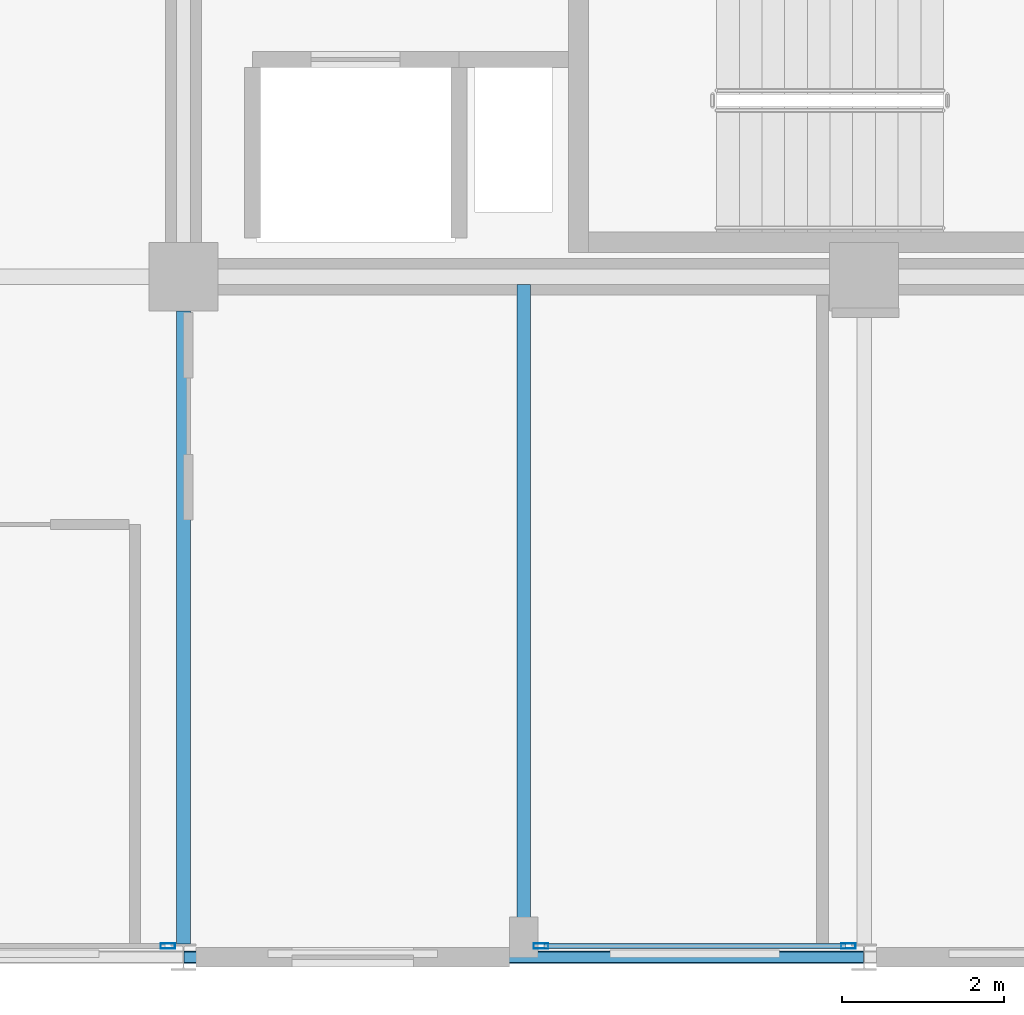
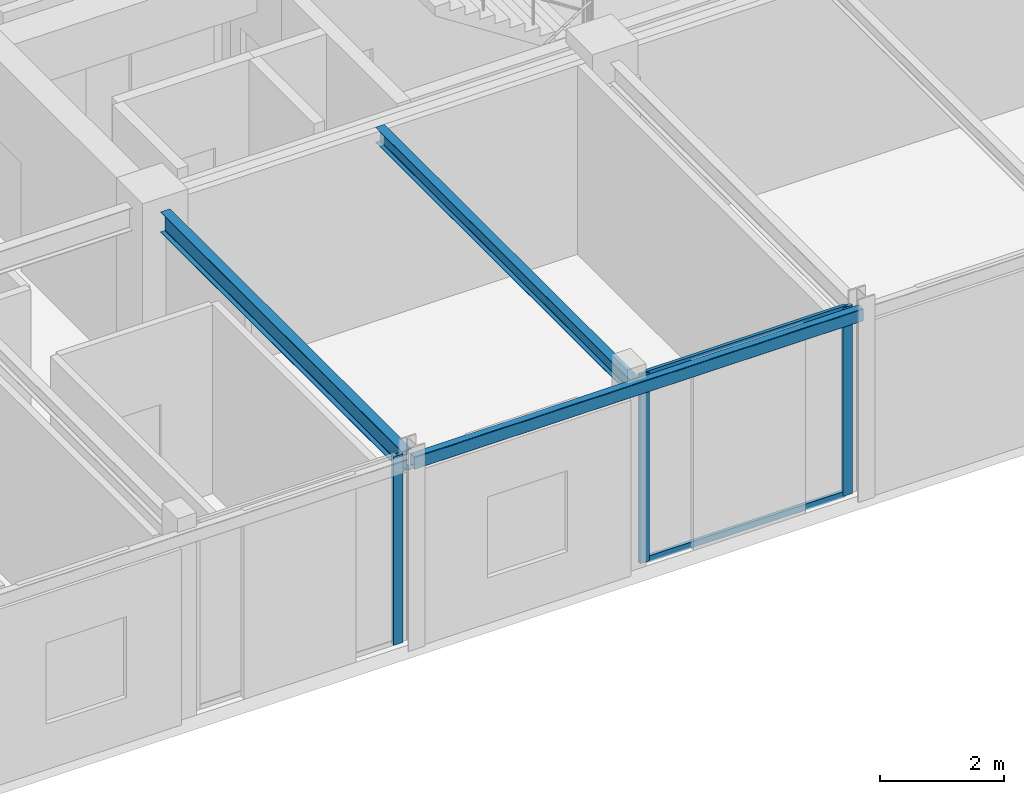
# One storey, part 7 of 26: 5 members, 3 beams, 2 elements without a shape of their own.
"""IFC4 building model written with IfcOpenShell, lengths in metres."""

from ifc_helpers import new_model, si_unit, direction, frame, origin, origin_2d, place, context, subcontext, project, spatial, hollow_rectangle, i_section, extrude, material, layer, layer_set, material_profile, profile_set, type_object, element, aggregate, save


model = new_model("IFC4")

# Units and contexts
model_context = context("Model", 3, precision=1e-05, world=origin(), true_north=direction((0.0, 1.0)))
body_context = subcontext(model_context, "Body", "Model", "MODEL_VIEW")
ifc_project = project(units=[si_unit("LENGTHUNIT", "METRE"), si_unit("AREAUNIT", "SQUARE_METRE"), si_unit("VOLUMEUNIT", "CUBIC_METRE"), si_unit("PLANEANGLEUNIT", "RADIAN"), si_unit("MASSUNIT", "GRAM", prefix="KILO")], contexts=[model_context])

# Site, building, storey
site_placement = place(None, origin())
site = spatial("IfcSite", under=ifc_project, at=site_placement, CompositionType="ELEMENT")
building_placement = place(site_placement, origin())
building = spatial("IfcBuilding", under=site, at=building_placement, Name="Nerrivon Quay Data Exchange", CompositionType="ELEMENT")
storey_placement = place(building_placement, frame((0.0, 0.0, 250.199951171875)))
storey = spatial("IfcBuildingStorey", under=building, at=storey_placement, Name="L59", CompositionType="ELEMENT", Elevation=250.199951171875)

# Beams
ifc_material_1 = material(Name="Steel Grade 350", Category="steel")
ifc_material_profile_1 = material_profile(ifc_material_1, i_section(OverallWidth=0.177978515625, OverallDepth=0.406005859375, WebThickness=0.0078125, FlangeThickness=0.0126953125, FilletRadius=0.011474609375, at=origin_2d()), Name="410UB59.7")
ifc_profile_set_1 = profile_set([ifc_material_profile_1], Name="Steel Grade 350")
beam_type_1 = type_object("IfcBeamType", Name="BM-J1-410UB60", PredefinedType="JOIST", material=ifc_profile_set_1)
beam_1_placement = place(storey_placement, frame((16.800048828125, 0.16357421875, 3.52197265625), z_axis=(0.0, 1.0, 0.0), x_axis=(-1.0, 0.0, 0.0)))
element("IfcBeam", 1, at=beam_1_placement, inside=storey, type_object=beam_type_1, Name="L59 NS Girder X=16.8 (0.0..8.4)", PredefinedType="JOIST", context=body_context, shape_type="SweptSolid", body=[
    extrude(i_section(OverallWidth=0.177978515625, OverallDepth=0.406005859375, WebThickness=0.0078125, FlangeThickness=0.0126953125, FilletRadius=0.011474609375, at=origin_2d()), origin(), (0.0, 0.0, 1.0), 7.8115234375),
])
ifc_material_profile_2 = material_profile(ifc_material_1, i_section(OverallWidth=0.1650390625, OverallDepth=0.303955078125, WebThickness=0.006103515625, FlangeThickness=0.01025390625, FilletRadius=0.011474609375, at=origin_2d()), Name="310UB40.4")
ifc_profile_set_2 = profile_set([ifc_material_profile_2], Name="Steel Grade 350")
beam_type_2 = type_object("IfcBeamType", Name="BM-J6-310UB40", PredefinedType="JOIST", material=ifc_profile_set_2)
beam_2_placement = place(storey_placement, frame((21.0, 0.074951171875, 3.572998046875), z_axis=(0.0, 1.0, 0.0), x_axis=(-1.0, 0.0, 0.0)))
element("IfcBeam", 2, at=beam_2_placement, inside=storey, type_object=beam_type_2, Name="L59 Secondary Joist X=21.0 (0.0..8.4)", PredefinedType="JOIST", context=body_context, shape_type="SweptSolid", body=[
    extrude(i_section(OverallWidth=0.1650390625, OverallDepth=0.303955078125, WebThickness=0.006103515625, FlangeThickness=0.01025390625, FilletRadius=0.011474609375, at=origin_2d()), origin(), (0.0, 0.0, 1.0), 8.22998046875),
])
ifc_material_2 = material(Name="Steel Grade C350L0 (350 MPa)", Category="steel")
ifc_material_profile_3 = material_profile(ifc_material_2, hollow_rectangle(XDim=0.14990234375, YDim=0.25, WallThickness=0.009033203125, InnerFilletRadius=0.013427734375, OuterFilletRadius=0.0224609375, at=origin_2d()), Name="250x150x9.0RHS")
ifc_profile_set_3 = profile_set([ifc_material_profile_3], Name="Steel Grade C350L0 (350 MPa)")
beam_type_3 = type_object("IfcBeamType", Name="BM-SP4-250x150RHS", PredefinedType="SPANDREL", material=ifc_profile_set_3)
beam_3_placement = place(storey_placement, frame((16.807861328125, 0.0, 3.60009765625), z_axis=(1.0, 0.0, 0.0), x_axis=(0.0, 1.0, 0.0)))
element("IfcBeam", 3, at=beam_3_placement, inside=storey, type_object=beam_type_3, Name="L59 EW Girder Y=0.0 (16.8..25.2)", PredefinedType="SPANDREL", context=body_context, shape_type="SweptSolid", body=[
    extrude(hollow_rectangle(XDim=0.14990234375, YDim=0.25, WallThickness=0.009033203125, InnerFilletRadius=0.013427734375, OuterFilletRadius=0.0224609375, at=origin_2d()), origin(), (0.0, 0.0, 1.0), 8.38427734375),
])

# Curtain wall, members
ifc_material_3 = material(Name="Anodised aluminium 6063-T6", Category="aluminium")
ifc_layer = layer(ifc_material_3, 0.195068359375)
ifc_layer_set = layer_set([ifc_layer], Name="Anodised aluminium 6063-T6")
curtain_wall_type = type_object("IfcCurtainWallType", Name="CW-SYS-06", PredefinedType="NOTDEFINED", material=ifc_layer_set)
curtain_wall_1_placement = place(storey_placement, origin())
curtain_wall_1 = element("IfcCurtainWall", 4, at=curtain_wall_1_placement, inside=storey, type_object=curtain_wall_type, Name="L59 Unitised Curtain Wall 4", PredefinedType="NOTDEFINED")
ifc_material_profile_4 = material_profile(ifc_material_3, hollow_rectangle(XDim=0.06494140625, YDim=0.179931640625, WallThickness=0.00341796875, at=origin_2d()), Name="ALU-MULL-180x65")
ifc_profile_set_4 = profile_set([ifc_material_profile_4], Name="Anodised aluminium 6063-T6")
member_type_1 = type_object("IfcMemberType", Name="CWM-180x65", PredefinedType="MULLION", material=ifc_profile_set_4)
member_1_placement = place(storey_placement, frame((25.007080078125, 0.139892578125, 0.0), z_axis=(0.0, 0.0, 1.0), x_axis=(0.0, -1.0, 0.0)))
member_1 = element("IfcMember", 5, at=member_1_placement, type_object=member_type_1, Name="CW06 mullion 1", PredefinedType="MULLION", context=body_context, shape_type="SweptSolid", body=[
    extrude(hollow_rectangle(XDim=0.06494140625, YDim=0.179931640625, WallThickness=0.00341796875, at=origin_2d()), origin(), (0.0, 0.0, 1.0), 3.72509765625),
])
member_2_placement = place(storey_placement, frame((21.21240234375, 0.139892578125, 0.0), z_axis=(0.0, 0.0, 1.0), x_axis=(0.0, -1.0, 0.0)))
member_2 = element("IfcMember", 6, at=member_2_placement, type_object=member_type_1, Name="CW06 mullion 2", PredefinedType="MULLION", context=body_context, shape_type="SweptSolid", body=[
    extrude(hollow_rectangle(XDim=0.06494140625, YDim=0.179931640625, WallThickness=0.00341796875, at=origin_2d()), origin(), (0.0, 0.0, 1.0), 3.72509765625),
])

# Curtain wall, member
curtain_wall_2_placement = place(storey_placement, origin())
curtain_wall_2 = element("IfcCurtainWall", 7, at=curtain_wall_2_placement, inside=storey, type_object=curtain_wall_type, Name="L59 Unitised Curtain Wall 6", PredefinedType="NOTDEFINED")
member_3_placement = place(storey_placement, frame((16.60693359375, 0.139892578125, 0.0), z_axis=(0.0, 0.0, 1.0), x_axis=(0.0, -1.0, 0.0)))
member_3 = element("IfcMember", 8, at=member_3_placement, type_object=member_type_1, Name="CW06 mullion 1", PredefinedType="MULLION", context=body_context, shape_type="SweptSolid", body=[
    extrude(hollow_rectangle(XDim=0.06494140625, YDim=0.179931640625, WallThickness=0.00341796875, at=origin_2d()), origin(), (0.0, 0.0, 1.0), 3.72509765625),
])
aggregate(curtain_wall_2, [member_3])

# Member
ifc_material_profile_5 = material_profile(ifc_material_3, hollow_rectangle(XDim=0.06005859375, YDim=0.1201171875, WallThickness=0.003173828125, at=origin_2d()), Name="ALU-TRAN-120x60")
ifc_profile_set_5 = profile_set([ifc_material_profile_5], Name="Anodised aluminium 6063-T6")
member_type_2 = type_object("IfcMemberType", Name="CWT-120x60", PredefinedType="USERDEFINED", material=ifc_profile_set_5)
member_4_placement = place(storey_placement, frame((24.969482421875, 0.139892578125, 0.032470703125), z_axis=(-1.0, 0.0, 0.0), x_axis=(0.0, -1.0, 0.0)))
member_4 = element("IfcMember", 9, at=member_4_placement, type_object=member_type_2, Name="CW06 transom 1.1", ObjectType="TRANSOM", PredefinedType="USERDEFINED", context=body_context, shape_type="SweptSolid", body=[
    extrude(hollow_rectangle(XDim=0.06005859375, YDim=0.1201171875, WallThickness=0.003173828125, at=origin_2d()), origin(), (0.0, 0.0, 1.0), 3.719482421875),
])

member_5_placement = place(storey_placement, frame((24.969482421875, 0.139892578125, 3.692626953125), z_axis=(-1.0, 0.0, 0.0), x_axis=(0.0, -1.0, 0.0)))
member_5 = element("IfcMember", 10, at=member_5_placement, type_object=member_type_2, Name="CW06 transom 1.2", ObjectType="TRANSOM", PredefinedType="USERDEFINED", context=body_context, shape_type="SweptSolid", body=[
    extrude(hollow_rectangle(XDim=0.06005859375, YDim=0.1201171875, WallThickness=0.003173828125, at=origin_2d()), origin(), (0.0, 0.0, 1.0), 3.719482421875),
])

aggregate(curtain_wall_1, [member_1, member_2, member_4, member_5])

save(model, "model.ifc")
